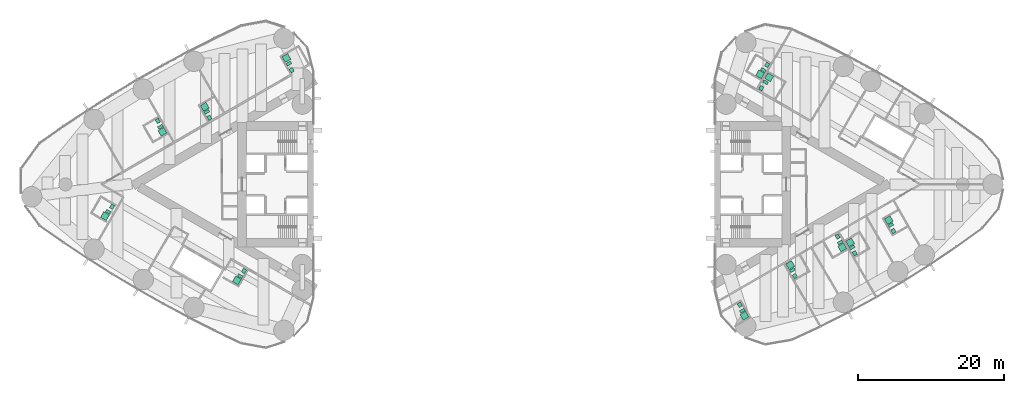
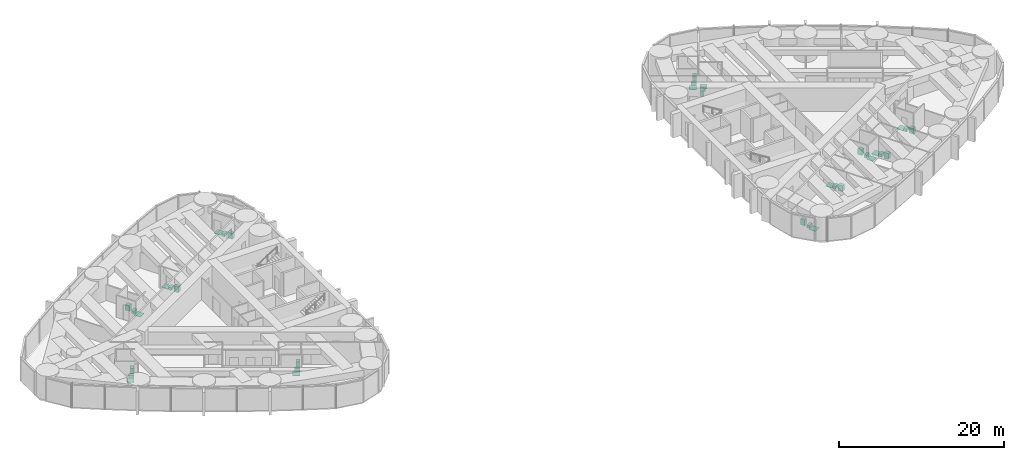
# One storey, part 19 of 19: 16 sanitary terminals.
"""IFC4 building model written with IfcOpenShell, lengths in metres."""

from ifc_helpers import new_model, si_unit, direction, frame, origin, origin_2d, place, context, subcontext, project, spatial, rectangle, extrude, material, type_object, element, save


model = new_model("IFC4")

# Units and contexts
model_context = context("Model", 3, precision=1e-05, world=origin(), true_north=direction((0.0, 1.0)))
body_context = subcontext(model_context, "Body", "Model", "MODEL_VIEW")
ifc_project = project(units=[si_unit("LENGTHUNIT", "METRE"), si_unit("AREAUNIT", "SQUARE_METRE"), si_unit("VOLUMEUNIT", "CUBIC_METRE"), si_unit("PLANEANGLEUNIT", "RADIAN"), si_unit("MASSUNIT", "GRAM", prefix="KILO")], contexts=[model_context])

# Site, building, storey
site_placement = place(None, origin())
site = spatial("IfcSite", under=ifc_project, at=site_placement, CompositionType="ELEMENT")
building_placement = place(site_placement, origin())
building = spatial("IfcBuilding", under=site, at=building_placement, Name="Lancet Gate Hotel", CompositionType="ELEMENT")
storey_placement = place(building_placement, frame((0.0, 0.0, 191.300048828125)))
storey = spatial("IfcBuildingStorey", under=building, at=storey_placement, Name="L51", CompositionType="ELEMENT", Elevation=191.300048828125)

# Sanitary terminals
ifc_material_1 = material(Name="Vitreous china sanitary ware")
sanitary_terminal_type_1 = type_object("IfcSanitaryTerminalType", Name="En-suite sanitary set (shower, WC, basin)", PredefinedType="USERDEFINED", material=ifc_material_1)
sanitary_terminal_1_placement = place(storey_placement, frame((-42.419189453125, 10.628662109375, 0.0), z_axis=(0.0, 0.0, 1.0), x_axis=(1.0, 0.0, 0.0)))
element("IfcSanitaryTerminal", 1, at=sanitary_terminal_1_placement, inside=storey, type_object=sanitary_terminal_type_1, Name="En-suite sanitary set (shower, WC, basin) 5102", ObjectType="EN-SUITE SANITARY SET", PredefinedType="USERDEFINED", context=body_context, shape_type="SweptSolid", body=[
    extrude(rectangle(XDim=0.89990234375, YDim=0.89990234375, at=origin_2d()), frame((0.0, 0.0, 0.0), z_axis=(0.0, 0.0, 1.0), x_axis=(-0.5, 0.866025403784, 0.0)), (0.0, 0.0, 1.0), 0.050048828125),
    extrude(rectangle(XDim=0.39990234375, YDim=0.699951171875, at=origin_2d()), frame((0.278564453125, -0.682373046875, 0.0), z_axis=(0.0, 0.0, 1.0), x_axis=(-0.5, 0.866025403784, 0.0)), (0.0, 0.0, 1.0), 0.39990234375),
    extrude(rectangle(XDim=0.60009765625, YDim=0.5, at=origin_2d()), frame((0.6318359375, -1.494384765625, 0.0), z_axis=(0.0, 0.0, 1.0), x_axis=(-0.5, 0.866025403784, 0.0)), (0.0, 0.0, 1.0), 0.85009765625),
])
sanitary_terminal_2_placement = place(storey_placement, frame((-48.222412109375, 7.208740234375, 0.0), z_axis=(0.0, 0.0, 1.0), x_axis=(1.0, 0.0, 0.0)))
element("IfcSanitaryTerminal", 2, at=sanitary_terminal_2_placement, inside=storey, type_object=sanitary_terminal_type_1, Name="En-suite sanitary set (shower, WC, basin) 5103", ObjectType="EN-SUITE SANITARY SET", PredefinedType="USERDEFINED", context=body_context, shape_type="SweptSolid", body=[
    extrude(rectangle(XDim=0.89990234375, YDim=0.89990234375, at=origin_2d()), frame((0.0, 0.0, 0.0), z_axis=(0.0, 0.0, 1.0), x_axis=(0.5, -0.866025403784, 0.0)), (0.0, 0.0, 1.0), 0.050048828125),
    extrude(rectangle(XDim=0.39990234375, YDim=0.699951171875, at=origin_2d()), frame((-0.2783203125, 0.68212890625, 0.0), z_axis=(0.0, 0.0, 1.0), x_axis=(0.5, -0.866025403784, 0.0)), (0.0, 0.0, 1.0), 0.39990234375),
    extrude(rectangle(XDim=0.60009765625, YDim=0.5, at=origin_2d()), frame((-0.6318359375, 1.494140625, 0.0), z_axis=(0.0, 0.0, 1.0), x_axis=(0.5, -0.866025403784, 0.0)), (0.0, 0.0, 1.0), 0.85009765625),
])
sanitary_terminal_3_placement = place(storey_placement, frame((-56.092041015625, -4.35107421875, 0.0), z_axis=(0.0, 0.0, 1.0), x_axis=(1.0, 0.0, 0.0)))
element("IfcSanitaryTerminal", 3, at=sanitary_terminal_3_placement, inside=storey, type_object=sanitary_terminal_type_1, Name="En-suite sanitary set (shower, WC, basin) 5105", ObjectType="EN-SUITE SANITARY SET", PredefinedType="USERDEFINED", context=body_context, shape_type="SweptSolid", body=[
    extrude(rectangle(XDim=0.89990234375, YDim=0.89990234375, at=origin_2d()), frame((0.0, 0.0, 0.0), z_axis=(0.0, 0.0, 1.0), x_axis=(-0.5, -0.866025403784, 0.0)), (0.0, 0.0, 1.0), 0.050048828125),
    extrude(rectangle(XDim=0.39990234375, YDim=0.699951171875, at=origin_2d()), frame((0.45166015625, 0.582275390625, 0.0), z_axis=(0.0, 0.0, 1.0), x_axis=(-0.5, -0.866025403784, 0.0)), (0.0, 0.0, 1.0), 0.39990234375),
    extrude(rectangle(XDim=0.60009765625, YDim=0.5, at=origin_2d()), frame((0.97802734375, 1.29443359375, 0.0), z_axis=(0.0, 0.0, 1.0), x_axis=(-0.5, -0.866025403784, 0.0)), (0.0, 0.0, 1.0), 0.85009765625),
])
sanitary_terminal_4_placement = place(storey_placement, frame((-38.01171875, -13.173095703125, 0.0), z_axis=(0.0, 0.0, 1.0), x_axis=(1.0, 0.0, 0.0)))
element("IfcSanitaryTerminal", 4, at=sanitary_terminal_4_placement, inside=storey, type_object=sanitary_terminal_type_1, Name="En-suite sanitary set (shower, WC, basin) 5108", ObjectType="EN-SUITE SANITARY SET", PredefinedType="USERDEFINED", context=body_context, shape_type="SweptSolid", body=[
    extrude(rectangle(XDim=0.89990234375, YDim=0.89990234375, at=origin_2d()), frame((0.0, 0.0, 0.0), z_axis=(0.0, 0.0, 1.0), x_axis=(-0.5, -0.866025403784, 0.0)), (0.0, 0.0, 1.0), 0.050048828125),
    extrude(rectangle(XDim=0.39990234375, YDim=0.699951171875, at=origin_2d()), frame((0.45166015625, 0.58203125, 0.0), z_axis=(0.0, 0.0, 1.0), x_axis=(-0.5, -0.866025403784, 0.0)), (0.0, 0.0, 1.0), 0.39990234375),
    extrude(rectangle(XDim=0.60009765625, YDim=0.5, at=origin_2d()), frame((0.978271484375, 1.294189453125, 0.0), z_axis=(0.0, 0.0, 1.0), x_axis=(-0.5, -0.866025403784, 0.0)), (0.0, 0.0, 1.0), 0.85009765625),
])
sanitary_terminal_5_placement = place(storey_placement, frame((31.569091796875, -18.00927734375, 0.0), z_axis=(0.0, 0.0, 1.0), x_axis=(1.0, 0.0, 0.0)))
element("IfcSanitaryTerminal", 5, at=sanitary_terminal_5_placement, inside=storey, type_object=sanitary_terminal_type_1, Name="En-suite sanitary set (shower, WC, basin) 5151", ObjectType="EN-SUITE SANITARY SET", PredefinedType="USERDEFINED", context=body_context, shape_type="SweptSolid", body=[
    extrude(rectangle(XDim=0.89990234375, YDim=0.89990234375, at=origin_2d()), frame((0.0, 0.0, 0.0), z_axis=(0.0, 0.0, 1.0), x_axis=(0.5, -0.866025403784, 0.0)), (0.0, 0.0, 1.0), 0.050048828125),
    extrude(rectangle(XDim=0.39990234375, YDim=0.699951171875, at=origin_2d()), frame((-0.2783203125, 0.68212890625, 0.0), z_axis=(0.0, 0.0, 1.0), x_axis=(0.5, -0.866025403784, 0.0)), (0.0, 0.0, 1.0), 0.39990234375),
    extrude(rectangle(XDim=0.60009765625, YDim=0.5, at=origin_2d()), frame((-0.6318359375, 1.494384765625, 0.0), z_axis=(0.0, 0.0, 1.0), x_axis=(0.5, -0.866025403784, 0.0)), (0.0, 0.0, 1.0), 0.85009765625),
])
sanitary_terminal_6_placement = place(storey_placement, frame((37.86572265625, -11.071533203125, 0.0), z_axis=(0.0, 0.0, 1.0), x_axis=(1.0, 0.0, 0.0)))
element("IfcSanitaryTerminal", 6, at=sanitary_terminal_6_placement, inside=storey, type_object=sanitary_terminal_type_1, Name="En-suite sanitary set (shower, WC, basin) 5153", ObjectType="EN-SUITE SANITARY SET", PredefinedType="USERDEFINED", context=body_context, shape_type="SweptSolid", body=[
    extrude(rectangle(XDim=0.89990234375, YDim=0.89990234375, at=origin_2d()), frame((0.0, 0.0, 0.0), z_axis=(0.0, 0.0, 1.0), x_axis=(-0.5, 0.866025403784, 0.0)), (0.0, 0.0, 1.0), 0.050048828125),
    extrude(rectangle(XDim=0.39990234375, YDim=0.699951171875, at=origin_2d()), frame((0.2783203125, -0.682373046875, 0.0), z_axis=(0.0, 0.0, 1.0), x_axis=(-0.5, 0.866025403784, 0.0)), (0.0, 0.0, 1.0), 0.39990234375),
    extrude(rectangle(XDim=0.60009765625, YDim=0.5, at=origin_2d()), frame((0.6318359375, -1.494384765625, 0.0), z_axis=(0.0, 0.0, 1.0), x_axis=(-0.5, 0.866025403784, 0.0)), (0.0, 0.0, 1.0), 0.85009765625),
])
sanitary_terminal_7_placement = place(storey_placement, frame((44.977783203125, -8.651123046875, 0.0), z_axis=(0.0, 0.0, 1.0), x_axis=(1.0, 0.0, 0.0)))
element("IfcSanitaryTerminal", 7, at=sanitary_terminal_7_placement, inside=storey, type_object=sanitary_terminal_type_1, Name="En-suite sanitary set (shower, WC, basin) 5154", ObjectType="EN-SUITE SANITARY SET", PredefinedType="USERDEFINED", context=body_context, shape_type="SweptSolid", body=[
    extrude(rectangle(XDim=0.89990234375, YDim=0.89990234375, at=origin_2d()), frame((0.0, 0.0, 0.0), z_axis=(0.0, 0.0, 1.0), x_axis=(0.5, -0.866025403784, 0.0)), (0.0, 0.0, 1.0), 0.050048828125),
    extrude(rectangle(XDim=0.39990234375, YDim=0.699951171875, at=origin_2d()), frame((-0.2783203125, 0.68212890625, 0.0), z_axis=(0.0, 0.0, 1.0), x_axis=(0.5, -0.866025403784, 0.0)), (0.0, 0.0, 1.0), 0.39990234375),
    extrude(rectangle(XDim=0.60009765625, YDim=0.5, at=origin_2d()), frame((-0.631591796875, 1.494140625, 0.0), z_axis=(0.0, 0.0, 1.0), x_axis=(0.5, -0.866025403784, 0.0)), (0.0, 0.0, 1.0), 0.85009765625),
])
sanitary_terminal_8_placement = place(storey_placement, frame((46.06494140625, -7.954345703125, 0.0), z_axis=(0.0, 0.0, 1.0), x_axis=(1.0, 0.0, 0.0)))
element("IfcSanitaryTerminal", 8, at=sanitary_terminal_8_placement, inside=storey, type_object=sanitary_terminal_type_1, Name="En-suite sanitary set (shower, WC, basin) 5155", ObjectType="EN-SUITE SANITARY SET", PredefinedType="USERDEFINED", context=body_context, shape_type="SweptSolid", body=[
    extrude(rectangle(XDim=0.89990234375, YDim=0.89990234375, at=origin_2d()), frame((0.0, 0.0, 0.0), z_axis=(0.0, 0.0, 1.0), x_axis=(-0.5, 0.866025403784, 0.0)), (0.0, 0.0, 1.0), 0.050048828125),
    extrude(rectangle(XDim=0.39990234375, YDim=0.699951171875, at=origin_2d()), frame((0.278564453125, -0.68212890625, 0.0), z_axis=(0.0, 0.0, 1.0), x_axis=(-0.5, 0.866025403784, 0.0)), (0.0, 0.0, 1.0), 0.39990234375),
    extrude(rectangle(XDim=0.60009765625, YDim=0.5, at=origin_2d()), frame((0.6318359375, -1.494140625, 0.0), z_axis=(0.0, 0.0, 1.0), x_axis=(-0.5, 0.866025403784, 0.0)), (0.0, 0.0, 1.0), 0.85009765625),
])
sanitary_terminal_9_placement = place(storey_placement, frame((51.360595703125, -4.89697265625, 0.0), z_axis=(0.0, 0.0, 1.0), x_axis=(1.0, 0.0, 0.0)))
element("IfcSanitaryTerminal", 9, at=sanitary_terminal_9_placement, inside=storey, type_object=sanitary_terminal_type_1, Name="En-suite sanitary set (shower, WC, basin) 5156", ObjectType="EN-SUITE SANITARY SET", PredefinedType="USERDEFINED", context=body_context, shape_type="SweptSolid", body=[
    extrude(rectangle(XDim=0.89990234375, YDim=0.89990234375, at=origin_2d()), frame((0.0, 0.0, 0.0), z_axis=(0.0, 0.0, 1.0), x_axis=(-0.5, 0.866025403784, 0.0)), (0.0, 0.0, 1.0), 0.050048828125),
    extrude(rectangle(XDim=0.39990234375, YDim=0.699951171875, at=origin_2d()), frame((0.2783203125, -0.68212890625, 0.0), z_axis=(0.0, 0.0, 1.0), x_axis=(-0.5, 0.866025403784, 0.0)), (0.0, 0.0, 1.0), 0.39990234375),
    extrude(rectangle(XDim=0.60009765625, YDim=0.5, at=origin_2d()), frame((0.631591796875, -1.494140625, 0.0), z_axis=(0.0, 0.0, 1.0), x_axis=(-0.5, 0.866025403784, 0.0)), (0.0, 0.0, 1.0), 0.85009765625),
])
sanitary_terminal_10_placement = place(storey_placement, frame((33.7099609375, 15.08740234375, 0.0), z_axis=(0.0, 0.0, 1.0), x_axis=(1.0, 0.0, 0.0)))
element("IfcSanitaryTerminal", 10, at=sanitary_terminal_10_placement, inside=storey, type_object=sanitary_terminal_type_1, Name="En-suite sanitary set (shower, WC, basin) 5164", ObjectType="EN-SUITE SANITARY SET", PredefinedType="USERDEFINED", context=body_context, shape_type="SweptSolid", body=[
    extrude(rectangle(XDim=0.89990234375, YDim=0.89990234375, at=origin_2d()), frame((0.0, 0.0, 0.0), z_axis=(0.0, 0.0, 1.0), x_axis=(-0.5, -0.866025403784, 0.0)), (0.0, 0.0, 1.0), 0.050048828125),
    extrude(rectangle(XDim=0.39990234375, YDim=0.699951171875, at=origin_2d()), frame((0.45166015625, 0.582275390625, 0.0), z_axis=(0.0, 0.0, 1.0), x_axis=(-0.5, -0.866025403784, 0.0)), (0.0, 0.0, 1.0), 0.39990234375),
    extrude(rectangle(XDim=0.60009765625, YDim=0.5, at=origin_2d()), frame((0.978271484375, 1.29443359375, 0.0), z_axis=(0.0, 0.0, 1.0), x_axis=(-0.5, -0.866025403784, 0.0)), (0.0, 0.0, 1.0), 0.85009765625),
])
ifc_material_2 = material(Name="Stone resin shower tray", Category="masonry")
sanitary_terminal_type_2 = type_object("IfcSanitaryTerminalType", Name="Shower tray 900", PredefinedType="SHOWER", material=ifc_material_2)
for number, where, z_axis, x_axis, name in (
    (11, (-31.216064453125, 17.327392578125, 0.0), (0.0, 0.0, 1.0), (-0.5, 0.866025403784, 0.0), "Shower tray 900 5101"),
    (12, (34.957275390625, 14.66748046875, 0.0), (0.0, 0.0, 1.0), (0.5, 0.866025403784, 0.0), "Shower tray 900 5162"),
):
    element("IfcSanitaryTerminal", number, at=place(storey_placement, frame(where, z_axis=z_axis, x_axis=x_axis)), inside=storey, type_object=sanitary_terminal_type_2, Name=name, PredefinedType="SHOWER", context=body_context, shape_type="SweptSolid", body=[
        extrude(rectangle(XDim=0.89990234375, YDim=0.89990234375, at=origin_2d()), origin(), (0.0, 0.0, 1.0), 0.050048828125),
    ])
ifc_material_3 = material(Name="Vitreous china sanitary ware")
sanitary_terminal_type_3 = type_object("IfcSanitaryTerminalType", Name="Vanity basin 600", PredefinedType="WASHHANDBASIN", material=ifc_material_3)
for number, where, z_axis, x_axis, name in (
    (13, (-30.484375, 15.659912109375, 0.0), (0.0, 0.0, 1.0), (-0.5, 0.866025403784, 0.0), "Vanity basin 600 5101"),
    (14, (33.87890625, 13.2001953125, 0.0), (0.0, 0.0, 1.0), (0.5, 0.866025403784, 0.0), "Vanity basin 600 5162"),
):
    element("IfcSanitaryTerminal", number, at=place(storey_placement, frame(where, z_axis=z_axis, x_axis=x_axis)), inside=storey, type_object=sanitary_terminal_type_3, Name=name, PredefinedType="WASHHANDBASIN", context=body_context, shape_type="SweptSolid", body=[
        extrude(rectangle(XDim=0.60009765625, YDim=0.5, at=origin_2d()), origin(), (0.0, 0.0, 1.0), 0.85009765625),
    ])
ifc_material_4 = material(Name="Vitreous china sanitary ware")
sanitary_terminal_type_4 = type_object("IfcSanitaryTerminalType", Name="WC pan wall hung", PredefinedType="TOILETPAN", material=ifc_material_4)
for number, where, z_axis, x_axis, name in (
    (15, (-30.8876953125, 16.55859375, 0.0), (0.0, 0.0, 1.0), (-0.5, 0.866025403784, 0.0), "WC pan wall hung 5101"),
    (16, (34.45556640625, 13.998779296875, 0.0), (0.0, 0.0, 1.0), (0.5, 0.866025403784, 0.0), "WC pan wall hung 5162"),
):
    element("IfcSanitaryTerminal", number, at=place(storey_placement, frame(where, z_axis=z_axis, x_axis=x_axis)), inside=storey, type_object=sanitary_terminal_type_4, Name=name, PredefinedType="TOILETPAN", context=body_context, shape_type="SweptSolid", body=[
        extrude(rectangle(XDim=0.39990234375, YDim=0.699951171875, at=origin_2d()), origin(), (0.0, 0.0, 1.0), 0.39990234375),
    ])

save(model, "model.ifc")
